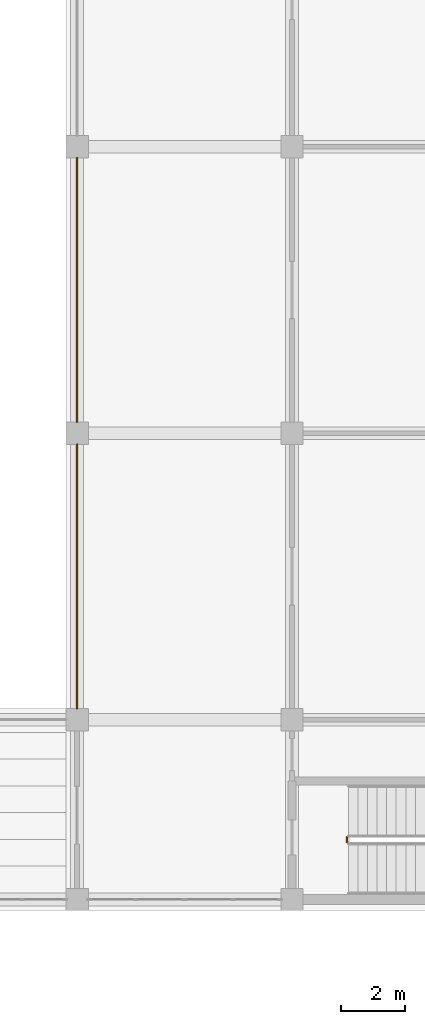
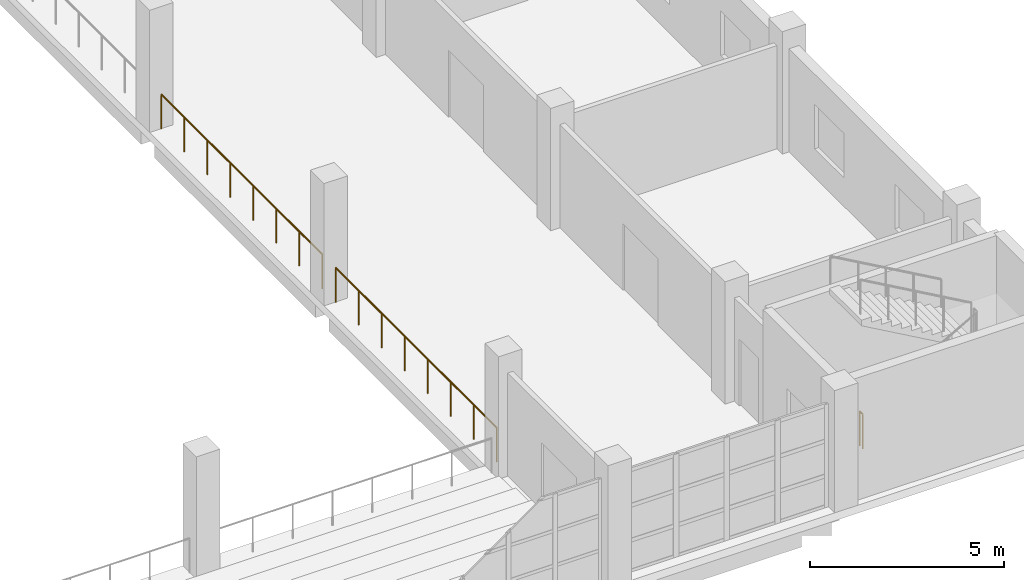
# One storey, part 31 of 36: 3 railings.
"""IFC4 building model written with IfcOpenShell, lengths in metres."""

from ifc_helpers import new_model, si_unit, direction, frame, origin, origin_2d, place, context, subcontext, project, spatial, circle, extrude, material, type_object, element, save


model = new_model("IFC4")

# Units and contexts
model_context = context("Model", 3, precision=1e-05, world=origin(), true_north=direction((0.0, 1.0)))
body_context = subcontext(model_context, "Body", "Model", "MODEL_VIEW")
ifc_project = project(units=[si_unit("LENGTHUNIT", "METRE"), si_unit("AREAUNIT", "SQUARE_METRE"), si_unit("VOLUMEUNIT", "CUBIC_METRE"), si_unit("PLANEANGLEUNIT", "RADIAN"), si_unit("MASSUNIT", "GRAM", prefix="KILO")], contexts=[model_context])

# Site, building, storey
site_placement = place(None, origin())
site = spatial("IfcSite", under=ifc_project, at=site_placement, CompositionType="ELEMENT")
building_placement = place(site_placement, origin())
building = spatial("IfcBuilding", under=site, at=building_placement, Name="Corbel Stack Research Tower", CompositionType="ELEMENT")
storey_placement = place(building_placement, frame((0.0, 0.0, 7.199951171875)))
storey = spatial("IfcBuildingStorey", under=building, at=storey_placement, Name="L01", CompositionType="ELEMENT", Elevation=7.199951171875)

# Railings
ifc_material = material(Name="Steel S235", Category="steel")
railing_type = type_object("IfcRailingType", Name="HR1 guard 1100", PredefinedType="GUARDRAIL", material=ifc_material)
for number, where, name in (
    (1, (86.949951171875, -17.64990234375, 0.0), "Court guard 2"),
    (2, (86.949951171875, -8.64990234375, 0.0), "Court guard 4"),
):
    element("IfcRailing", number, at=place(storey_placement, frame(where)), inside=storey, type_object=railing_type, Name=name, PredefinedType="GUARDRAIL", context=body_context, shape_type="SweptSolid", body=[
        extrude(circle(Radius=0.02392578125, at=origin_2d()), frame((0.0, 0.0, 1.076171875), z_axis=(0.0, 1.0, 0.0), x_axis=(-1.0, 0.0, 0.0)), (0.0, 0.0, 1.0), 8.2998046875),
        extrude(circle(Radius=0.02099609375, at=origin_2d()), origin(), (0.0, 0.0, 1.0), 1.052001953125),
        extrude(circle(Radius=0.02099609375, at=origin_2d()), frame((0.0, 1.185791015625, 0.0)), (0.0, 0.0, 1.0), 1.052001953125),
        extrude(circle(Radius=0.02099609375, at=origin_2d()), frame((0.0, 2.371337890625, 0.0)), (0.0, 0.0, 1.0), 1.052001953125),
        extrude(circle(Radius=0.02099609375, at=origin_2d()), frame((0.0, 3.55712890625, 0.0)), (0.0, 0.0, 1.0), 1.052001953125),
        extrude(circle(Radius=0.02099609375, at=origin_2d()), frame((0.0, 4.74267578125, 0.0)), (0.0, 0.0, 1.0), 1.052001953125),
        extrude(circle(Radius=0.02099609375, at=origin_2d()), frame((0.0, 5.928466796875, 0.0)), (0.0, 0.0, 1.0), 1.052001953125),
        extrude(circle(Radius=0.02099609375, at=origin_2d()), frame((0.0, 7.114013671875, 0.0)), (0.0, 0.0, 1.0), 1.052001953125),
        extrude(circle(Radius=0.02099609375, at=origin_2d()), frame((0.0, 8.2998046875, 0.0)), (0.0, 0.0, 1.0), 1.052001953125),
    ])
railing_placement = place(storey_placement, frame((95.425048828125, -21.85009765625, 0.0)))
element("IfcRailing", 3, at=railing_placement, inside=storey, type_object=railing_type, Name="L01 HS3 stair guard 4", PredefinedType="GUARDRAIL", context=body_context, shape_type="SweptSolid", body=[
    extrude(circle(Radius=0.02392578125, at=origin_2d()), frame((0.0, 0.0, 1.076171875), z_axis=(0.0, 1.0, 0.0), x_axis=(-1.0, 0.0, 0.0)), (0.0, 0.0, 1.0), 0.150146484375),
    extrude(circle(Radius=0.02099609375, at=origin_2d()), origin(), (0.0, 0.0, 1.0), 1.052001953125),
    extrude(circle(Radius=0.02099609375, at=origin_2d()), frame((0.0, 0.150146484375, 0.0)), (0.0, 0.0, 1.0), 1.052001953125),
])

save(model, "model.ifc")
